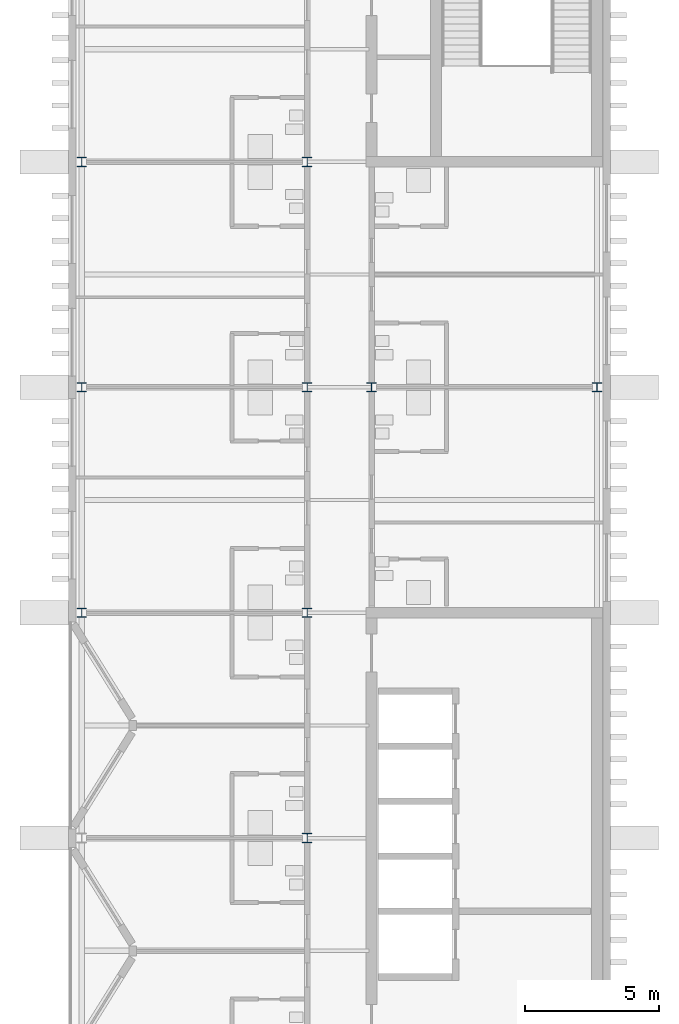
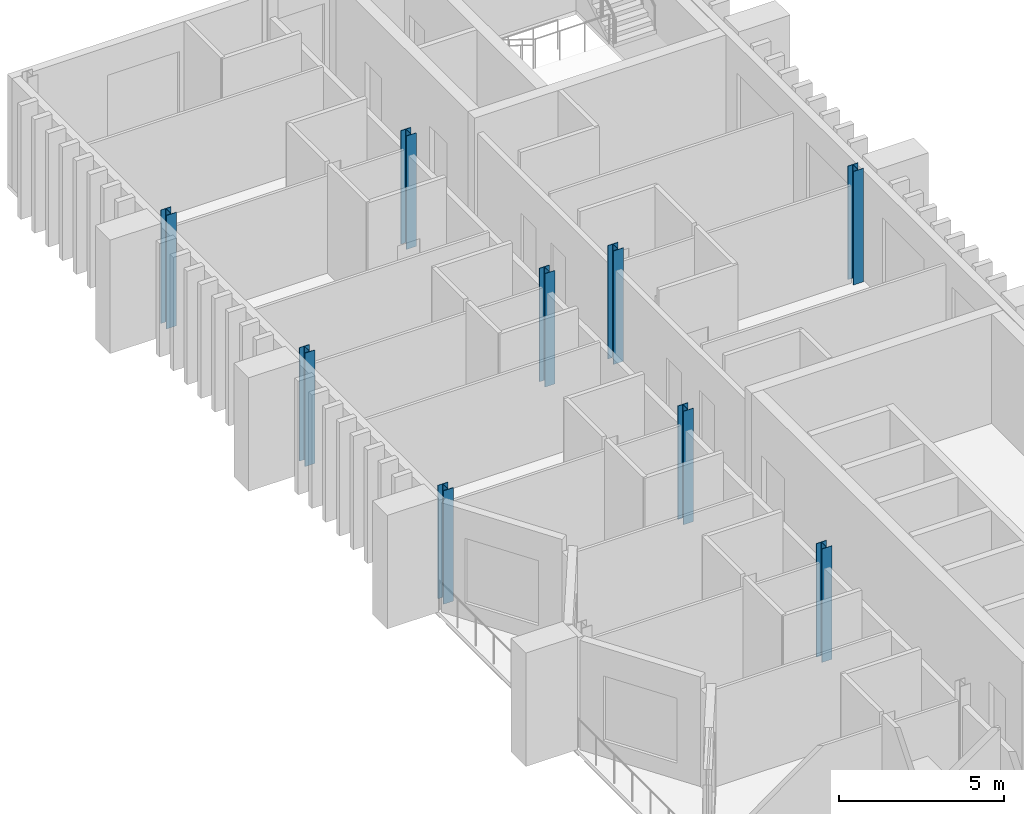
# One storey, part 2 of 11: 9 columns.
"""IFC4 building model written with IfcOpenShell, lengths in metres."""

from ifc_helpers import new_model, si_unit, direction, frame, origin, origin_2d, place, context, subcontext, project, spatial, i_section, extrude, material, material_profile, profile_set, type_object, element, save


model = new_model("IFC4")

# Units and contexts
model_context = context("Model", 3, precision=1e-05, world=origin(), true_north=direction((0.0, 1.0)))
body_context = subcontext(model_context, "Body", "Model", "MODEL_VIEW")
ifc_project = project(units=[si_unit("LENGTHUNIT", "METRE"), si_unit("AREAUNIT", "SQUARE_METRE"), si_unit("VOLUMEUNIT", "CUBIC_METRE"), si_unit("PLANEANGLEUNIT", "RADIAN"), si_unit("MASSUNIT", "GRAM", prefix="KILO")], contexts=[model_context])

# Site, building, storey
site_placement = place(None, origin())
site = spatial("IfcSite", under=ifc_project, at=site_placement, CompositionType="ELEMENT")
building_placement = place(site_placement, origin())
building = spatial("IfcBuilding", under=site, at=building_placement, Name="Cresset Court Congress Hotel", CompositionType="ELEMENT")
storey_placement = place(building_placement, frame((0.0, 0.0, 48.0)))
storey = spatial("IfcBuildingStorey", under=building, at=storey_placement, Name="L11", CompositionType="ELEMENT", Elevation=48.0)

# Columns
ifc_material = material(Name="Structural steel Q355B", Category="steel")
ifc_material_profile = material_profile(ifc_material, i_section(OverallWidth=0.35009765625, OverallDepth=0.35009765625, WebThickness=0.011962890625, FlangeThickness=0.01904296875, FilletRadius=0.012939453125, at=origin_2d()), Name="HW350x350x12x19")
ifc_profile_set = profile_set([ifc_material_profile], Name="Structural steel Q355B")
column_type = type_object("IfcColumnType", Name="Steel column HW350x350x12x19", PredefinedType="COLUMN", material=ifc_profile_set)
for number, where, z_axis, x_axis, name in (
    (1, (157.199951171875, 42.0, 0.0), (0.0, 0.0, 1.0), (1.0, 0.0, 0.0), "Column L11 6-20"),
    (2, (157.199951171875, 50.39990234375, 0.0), (0.0, 0.0, 1.0), (1.0, 0.0, 0.0), "Column L11 7-20"),
    (3, (157.199951171875, 58.800048828125, 0.0), (0.0, 0.0, 1.0), (1.0, 0.0, 0.0), "Column L11 8-20"),
    (4, (165.60009765625, 33.60009765625, 0.0), (0.0, 0.0, 1.0), (1.0, 0.0, 0.0), "Column L11 5-21"),
    (5, (165.60009765625, 42.0, 0.0), (0.0, 0.0, 1.0), (1.0, 0.0, 0.0), "Column L11 6-21"),
    (6, (165.60009765625, 50.39990234375, 0.0), (0.0, 0.0, 1.0), (1.0, 0.0, 0.0), "Column L11 7-21"),
    (7, (165.60009765625, 58.800048828125, 0.0), (0.0, 0.0, 1.0), (1.0, 0.0, 0.0), "Column L11 8-21"),
    (8, (168.0, 50.39990234375, 0.0), (0.0, 0.0, 1.0), (1.0, 0.0, 0.0), "Column L11 7-22"),
    (9, (176.39990234375, 50.39990234375, 0.0), (0.0, 0.0, 1.0), (1.0, 0.0, 0.0), "Column L11 7-23"),
):
    element("IfcColumn", number, at=place(storey_placement, frame(where, z_axis=z_axis, x_axis=x_axis)), inside=storey, type_object=column_type, Name=name, PredefinedType="COLUMN", context=body_context, shape_type="SweptSolid", body=[
        extrude(i_section(OverallWidth=0.35009765625, OverallDepth=0.35009765625, WebThickness=0.011962890625, FlangeThickness=0.01904296875, FilletRadius=0.012939453125, at=origin_2d()), origin(), (0.0, 0.0, 1.0), 4.199951171875),
    ])

save(model, "model.ifc")
